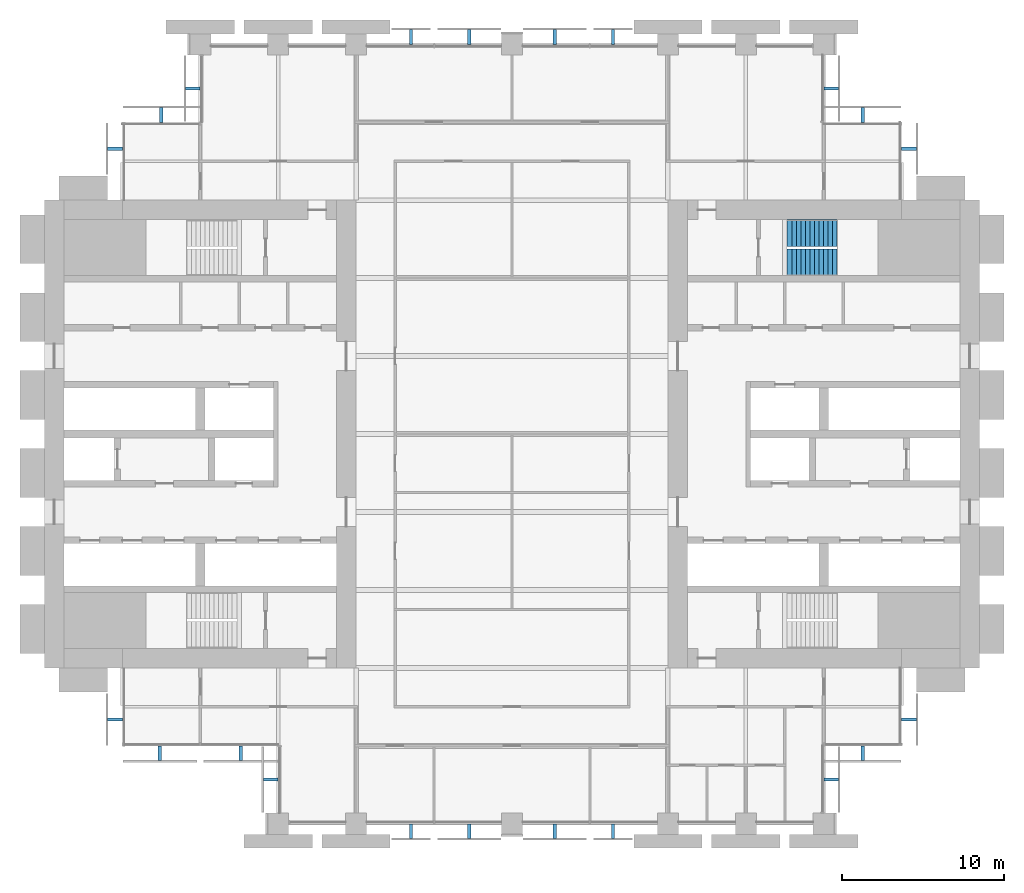
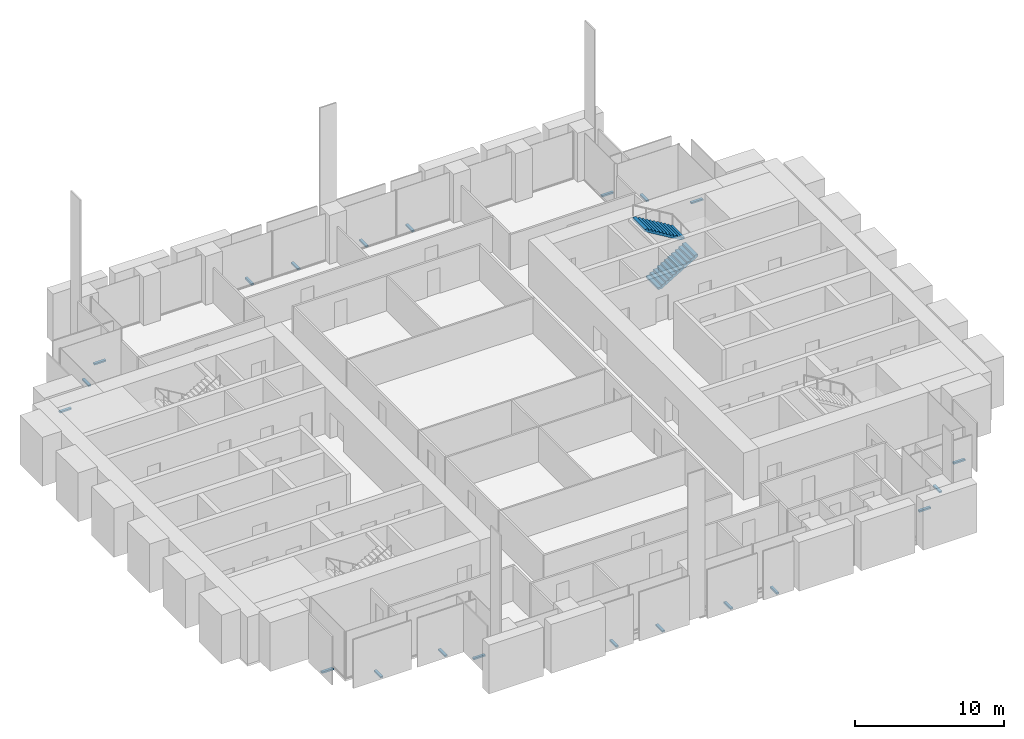
# One storey, part 13 of 14: 21 discrete accessories, 2 stair flights, 1 element without a shape of its own.
"""IFC4 building model written with IfcOpenShell, lengths in metres."""

from ifc_helpers import new_model, si_unit, direction, frame, origin, origin_2d, place, context, subcontext, project, spatial, polyline, rectangle, outline, extrude, material, type_object, element, aggregate, save


model = new_model("IFC4")

# Units and contexts
model_context = context("Model", 3, precision=1e-05, world=origin(), true_north=direction((0.0, 1.0)))
body_context = subcontext(model_context, "Body", "Model", "MODEL_VIEW")
ifc_project = project(units=[si_unit("LENGTHUNIT", "METRE"), si_unit("AREAUNIT", "SQUARE_METRE"), si_unit("VOLUMEUNIT", "CUBIC_METRE"), si_unit("PLANEANGLEUNIT", "RADIAN"), si_unit("MASSUNIT", "GRAM", prefix="KILO")], contexts=[model_context])

# Site, building, storey
site_placement = place(None, origin())
site = spatial("IfcSite", under=ifc_project, at=site_placement, CompositionType="ELEMENT")
building_placement = place(site_placement, origin())
building = spatial("IfcBuilding", under=site, at=building_placement, Name="Baori Bourse Tower", CompositionType="ELEMENT")
storey_placement = place(building_placement, frame((0.0, 0.0, 51.0)))
storey = spatial("IfcBuildingStorey", under=building, at=storey_placement, Name="L10", CompositionType="ELEMENT", Elevation=51.0)

# Stair, stair flights
ifc_material_1 = material(Name="Concrete f'c 50 MPa", Category="concrete")
stair_type = type_object("IfcStairType", Name="Core stair", PredefinedType="HALF_TURN_STAIR", material=ifc_material_1)
stair_placement = place(storey_placement, origin())
stair = element("IfcStair", 1, at=stair_placement, inside=storey, type_object=stair_type, Name="L10 Stair EB", PredefinedType="HALF_TURN_STAIR")
ifc_material_2 = material(Name="Concrete f'c 50 MPa", Category="concrete")
stair_flight_type = type_object("IfcStairFlightType", Name="Core stair flight", PredefinedType="STRAIGHT", material=ifc_material_2)
stair_flight_1_placement = place(storey_placement, frame((45.75, 34.574951171875, 0.0), z_axis=(0.0, 0.0, 1.0), x_axis=(1.0, 0.0, 0.0)))
stair_flight_1 = element("IfcStairFlight", 2, at=stair_flight_1_placement, type_object=stair_flight_type, Name="ST4 flight 1", NumberOfRisers=12, NumberOfTreads=11, PredefinedType="STRAIGHT", RiserHeight=0.166666667, TreadLength=0.28, context=body_context, shape_type="SweptSolid", body=[
    extrude(outline(polyline([(0.0, 0.0), (0.0, 0.166748046875), (0.280029296875, 0.166748046875), (0.280029296875, 0.333251953125), (0.56005859375, 0.333251953125), (0.56005859375, 0.5), (0.840087890625, 0.5), (0.840087890625, 0.666748046875), (1.1201171875, 0.666748046875), (1.1201171875, 0.833251953125), (1.39990234375, 0.833251953125), (1.39990234375, 1.0), (1.679931640625, 1.0), (1.679931640625, 1.166748046875), (1.9599609375, 1.166748046875), (1.9599609375, 1.333251953125), (2.239990234375, 1.333251953125), (2.239990234375, 1.5), (2.52001953125, 1.5), (2.52001953125, 1.666748046875), (2.800048828125, 1.666748046875), (2.800048828125, 1.833251953125), (3.080078125, 1.833251953125), (3.080078125, 2.0), (3.080078125, 1.658935546875), (0.29296875, 0.0), (0.0, 0.0)])), frame((0.0, 0.824951171875, 0.0), z_axis=(0.0, -1.0, 0.0), x_axis=(1.0, 0.0, 0.0)), (0.0, 0.0, 1.0), 1.64990234375),
])
stair_flight_2_placement = place(storey_placement, frame((48.830078125, 36.375, 2.0), z_axis=(0.0, 0.0, 1.0), x_axis=(-1.0, 0.0, 0.0)))
stair_flight_2 = element("IfcStairFlight", 3, at=stair_flight_2_placement, type_object=stair_flight_type, Name="ST4 flight 2", NumberOfRisers=12, NumberOfTreads=11, PredefinedType="STRAIGHT", RiserHeight=0.166666667, TreadLength=0.28, context=body_context, shape_type="SweptSolid", body=[
    extrude(outline(polyline([(0.0, 0.0), (0.0, 0.166748046875), (0.280029296875, 0.166748046875), (0.280029296875, 0.333251953125), (0.56005859375, 0.333251953125), (0.56005859375, 0.5), (0.840087890625, 0.5), (0.840087890625, 0.666748046875), (1.1201171875, 0.666748046875), (1.1201171875, 0.833251953125), (1.39990234375, 0.833251953125), (1.39990234375, 1.0), (1.679931640625, 1.0), (1.679931640625, 1.166748046875), (1.9599609375, 1.166748046875), (1.9599609375, 1.333251953125), (2.239990234375, 1.333251953125), (2.239990234375, 1.5), (2.52001953125, 1.5), (2.52001953125, 1.666748046875), (2.800048828125, 1.666748046875), (2.800048828125, 1.833251953125), (3.080078125, 1.833251953125), (3.080078125, 2.0), (3.080078125, 1.658935546875), (0.29296875, 0.0), (0.0, 0.0)])), frame((0.0, 0.824951171875, 0.0), z_axis=(0.0, -1.0, 0.0), x_axis=(1.0, 0.0, 0.0)), (0.0, 0.0, 1.0), 1.64990234375),
])
aggregate(stair, [stair_flight_1, stair_flight_2])

# Discrete accessories
ifc_material_3 = material(Name="Pale anodised aluminium", Category="aluminium")
discrete_accessory_type = type_object("IfcDiscreteAccessoryType", Name="OS2 Outer skin bracket", PredefinedType="BRACKET", material=ifc_material_3)
for number, where, z_axis, x_axis, name in (
    (4, (53.25, 41.574951171875, -0.14404296875), (0.0, 0.0, 1.0), (0.0, 1.0, 0.0), "Outer skin bracket L10 1"),
    (5, (50.39990234375, 43.64990234375, -0.14404296875), (0.0, 0.0, 1.0), (-1.0, 0.0, 0.0), "Outer skin bracket L10 2"),
    (6, (48.449951171875, 45.27490234375, -0.14404296875), (0.0, 0.0, 1.0), (0.0, 1.0, 0.0), "Outer skin bracket L10 3"),
    (7, (35.012451171875, 48.449951171875, -0.14404296875), (0.0, 0.0, 1.0), (-1.0, 0.0, 0.0), "Outer skin bracket L10 4"),
    (8, (31.4375, 48.449951171875, -0.14404296875), (0.0, 0.0, 1.0), (-1.0, 0.0, 0.0), "Outer skin bracket L10 5"),
    (9, (26.16259765625, 48.449951171875, -0.14404296875), (0.0, 0.0, 1.0), (-1.0, 0.0, 0.0), "Outer skin bracket L10 6"),
    (10, (22.58740234375, 48.449951171875, -0.14404296875), (0.0, 0.0, 1.0), (-1.0, 0.0, 0.0), "Outer skin bracket L10 7"),
    (11, (9.14990234375, 45.27490234375, -0.14404296875), (0.0, 0.0, 1.0), (0.0, -1.0, 0.0), "Outer skin bracket L10 8"),
    (12, (7.199951171875, 43.64990234375, -0.14404296875), (0.0, 0.0, 1.0), (-1.0, 0.0, 0.0), "Outer skin bracket L10 9"),
    (13, (4.35009765625, 41.574951171875, -0.14404296875), (0.0, 0.0, 1.0), (0.0, -1.0, 0.0), "Outer skin bracket L10 10"),
    (14, (4.35009765625, 6.425048828125, -0.14404296875), (0.0, 0.0, 1.0), (0.0, -1.0, 0.0), "Outer skin bracket L10 11"),
    (15, (7.112548828125, 4.35009765625, -0.14404296875), (0.0, 0.0, 1.0), (1.0, 0.0, 0.0), "Outer skin bracket L10 12"),
    (16, (12.08740234375, 4.35009765625, -0.14404296875), (0.0, 0.0, 1.0), (1.0, 0.0, 0.0), "Outer skin bracket L10 13"),
    (17, (13.949951171875, 2.72509765625, -0.14404296875), (0.0, 0.0, 1.0), (0.0, -1.0, 0.0), "Outer skin bracket L10 14"),
    (18, (22.58740234375, -0.449951171875, -0.14404296875), (0.0, 0.0, 1.0), (1.0, 0.0, 0.0), "Outer skin bracket L10 15"),
    (19, (26.16259765625, -0.449951171875, -0.14404296875), (0.0, 0.0, 1.0), (1.0, 0.0, 0.0), "Outer skin bracket L10 16"),
    (20, (31.4375, -0.449951171875, -0.14404296875), (0.0, 0.0, 1.0), (1.0, 0.0, 0.0), "Outer skin bracket L10 17"),
    (21, (35.012451171875, -0.449951171875, -0.14404296875), (0.0, 0.0, 1.0), (1.0, 0.0, 0.0), "Outer skin bracket L10 18"),
    (22, (48.449951171875, 2.72509765625, -0.14404296875), (0.0, 0.0, 1.0), (0.0, 1.0, 0.0), "Outer skin bracket L10 19"),
    (23, (50.39990234375, 4.35009765625, -0.14404296875), (0.0, 0.0, 1.0), (1.0, 0.0, 0.0), "Outer skin bracket L10 20"),
    (24, (53.25, 6.425048828125, -0.14404296875), (0.0, 0.0, 1.0), (0.0, 1.0, 0.0), "Outer skin bracket L10 21"),
):
    element("IfcDiscreteAccessory", number, at=place(storey_placement, frame(where, z_axis=z_axis, x_axis=x_axis)), inside=storey, type_object=discrete_accessory_type, Name=name, PredefinedType="BRACKET", context=body_context, shape_type="SweptSolid", body=[
        extrude(rectangle(XDim=0.199951171875, YDim=0.89990234375, at=origin_2d()), origin(), (0.0, 0.0, 1.0), 0.1279296875),
    ])

save(model, "model.ifc")
